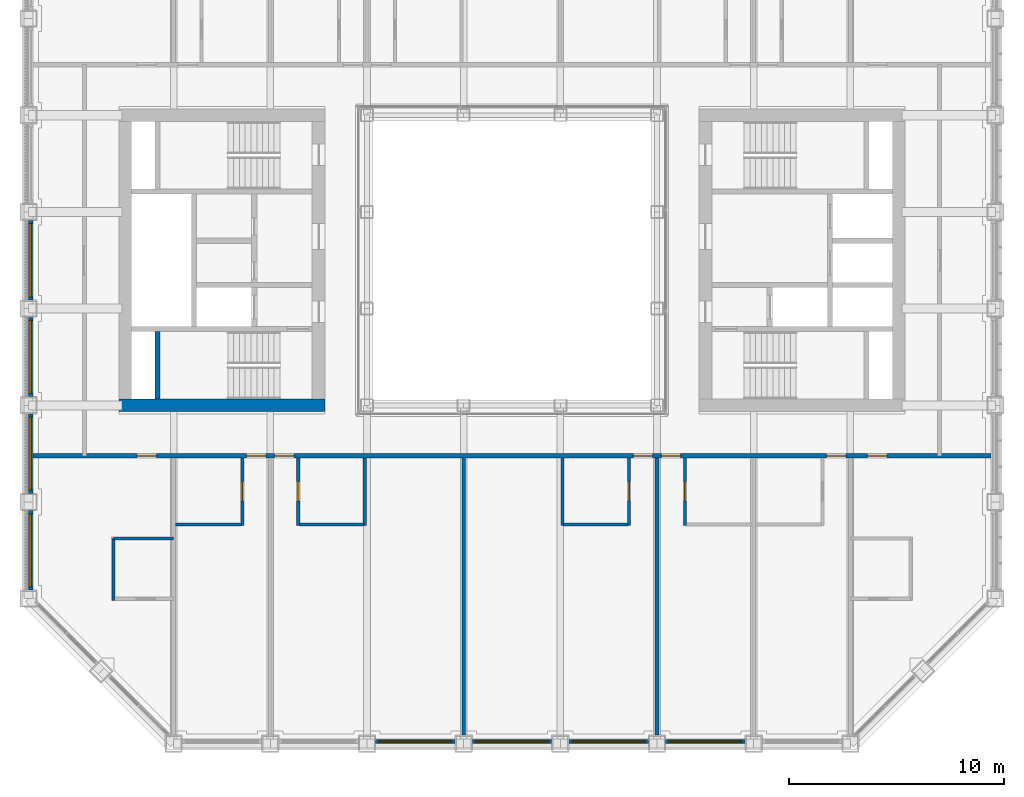
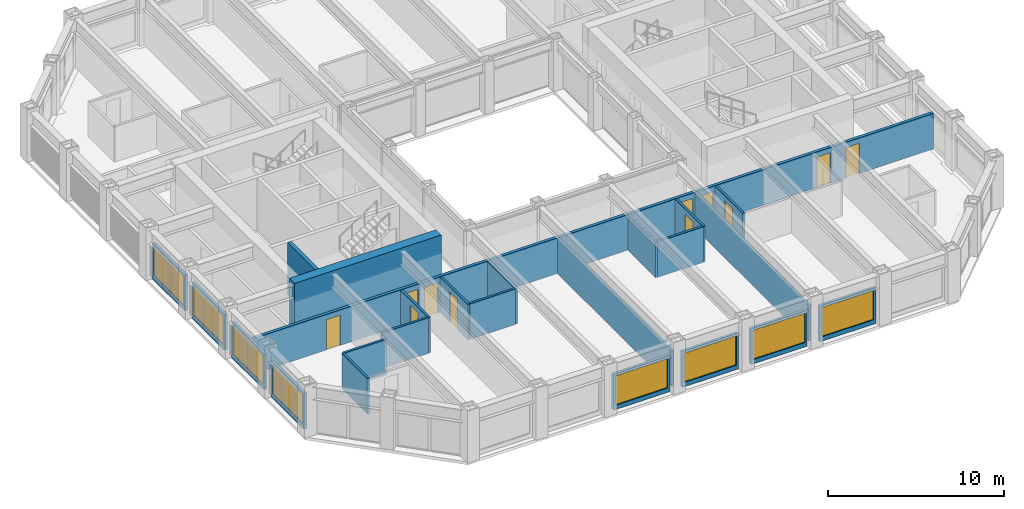
# One storey, part 10 of 17: 24 walls, 11 doors, 8 windows, 19 openings.
"""IFC4 building model written with IfcOpenShell, lengths in metres."""

from ifc_helpers import new_model, si_unit, direction, frame, frame_2d, origin, place, context, subcontext, project, spatial, rectangle, extrude, material, layer, layer_set, type_object, element, fill, save


model = new_model("IFC4")

# Units and contexts
model_context = context("Model", 3, precision=1e-05, world=origin(), true_north=direction((0.0, 1.0)))
body_context = subcontext(model_context, "Body", "Model", "MODEL_VIEW")
ifc_project = project(units=[si_unit("LENGTHUNIT", "METRE"), si_unit("AREAUNIT", "SQUARE_METRE"), si_unit("VOLUMEUNIT", "CUBIC_METRE"), si_unit("PLANEANGLEUNIT", "RADIAN"), si_unit("MASSUNIT", "GRAM", prefix="KILO")], contexts=[model_context])

# Site, building, storey
site_placement = place(None, origin())
site = spatial("IfcSite", under=ifc_project, at=site_placement, CompositionType="ELEMENT")
building_placement = place(site_placement, origin())
building = spatial("IfcBuilding", under=site, at=building_placement, Name="Msasa Ring Tower", CompositionType="ELEMENT")
storey_placement = place(building_placement, frame((0.0, 0.0, 136.39990234375)))
storey = spatial("IfcBuildingStorey", under=building, at=storey_placement, Name="L35", CompositionType="ELEMENT", Elevation=136.39990234375)

# Walls
ifc_material_1 = material(Name="Concrete C60/75", Category="concrete")
ifc_layer_1 = layer(ifc_material_1, 0.60009765625)
ifc_layer_set_1 = layer_set([ifc_layer_1], Name="CW2 CORE WALL 600")
wall_type_1 = type_object("IfcWallType", Name="CW2 CORE WALL 600", PredefinedType="SHEAR", material=ifc_layer_set_1)
wall_1_placement = place(storey_placement, frame((-8.699951171875, -6.75, 0.0), z_axis=(0.0, 0.0, 1.0), x_axis=(-1.0, 0.0, 0.0)))
element("IfcWall", 1, at=wall_1_placement, inside=storey, type_object=wall_type_1, Name="W core wall S L35", PredefinedType="SHEAR", context=body_context, shape_type="SweptSolid", body=[
    extrude(rectangle(XDim=9.60009765625, YDim=0.60009765625, at=frame_2d((4.800048828125, 0.0))), origin(), (0.0, 0.0, 1.0), 3.60009765625),
])
ifc_material_2 = material(Name="Concrete C60/75", Category="concrete")
ifc_layer_2 = layer(ifc_material_2, 0.25)
ifc_layer_set_2 = layer_set([ifc_layer_2], Name="CW4 CORE INNER WALL 250")
wall_type_2 = type_object("IfcWallType", Name="CW4 CORE INNER WALL 250", PredefinedType="SHEAR", material=ifc_layer_set_2)
wall_2_placement = place(storey_placement, frame((-16.5, -6.449951171875, 0.0), z_axis=(0.0, 0.0, 1.0), x_axis=(0.0, 1.0, 0.0)))
element("IfcWall", 2, at=wall_2_placement, inside=storey, type_object=wall_type_2, Name="W core wall RISERA L35", PredefinedType="SHEAR", context=body_context, shape_type="SweptSolid", body=[
    extrude(rectangle(XDim=3.125, YDim=0.25, at=frame_2d((1.5625, 0.0))), origin(), (0.0, 0.0, 1.0), 3.60009765625),
])

# Wall, opening, window
ifc_material_3 = material(Name="Terracotta rainscreen on blockwork", Category="masonry")
ifc_layer_3 = layer(ifc_material_3, 0.199951171875)
ifc_layer_set_3 = layer_set([ifc_layer_3], Name="FW1 TERRACOTTA-LINED INFILL BAY WALL 200")
wall_type_3 = type_object("IfcWallType", Name="FW1 TERRACOTTA-LINED INFILL BAY WALL 200", PredefinedType="SOLIDWALL", material=ifc_layer_set_3)
wall_3_placement = place(storey_placement, frame((-6.344970703125, -22.39990234375, 0.0), z_axis=(0.0, 0.0, 1.0), x_axis=(1.0, 0.0, 0.0)))
wall_3 = element("IfcWall", 3, at=wall_3_placement, inside=storey, type_object=wall_type_3, Name="Infill bay wall S L35 02", PredefinedType="SOLIDWALL", context=body_context, shape_type="SweptSolid", body=[
    extrude(rectangle(XDim=3.68994140625, YDim=0.199951171875, at=frame_2d((1.844970703125, 0.0))), origin(), (0.0, 0.0, 1.0), 2.47900390625),
])
opening_1_placement = place(wall_3_placement, frame((0.14501953125, 0.0, 0.300048828125)))
opening_1 = element("IfcOpeningElement", 4, at=opening_1_placement, cuts=wall_3, Name="Opening WN2", PredefinedType="OPENING", context=body_context, shape_type="SweptSolid", body=[
    extrude(rectangle(XDim=3.39990234375, YDim=2.029052734375, at=frame_2d((1.699951171875, 1.0146484375))), frame((0.0, 0.10986328125, 0.0), z_axis=(0.0, -1.0, 0.0), x_axis=(1.0, 0.0, 0.0)), (0.0, 0.0, 1.0), 0.219970703125),
])
ifc_material_4 = material(Name="Aluminium frame with clear glass", Category="aluminium")
window_type = type_object("IfcWindowType", Name="WN2 GUEST ROOM WINDOW 3400x2029", PartitioningType="SINGLE_PANEL", PredefinedType="WINDOW", material=ifc_material_4)
window_1_placement = place(opening_1_placement, origin())
window_1 = element("IfcWindow", 5, at=window_1_placement, inside=storey, type_object=window_type, Name="Window S L35 02", OverallHeight=2.029052734375, OverallWidth=3.39990234375, PartitioningType="SINGLE_PANEL", PredefinedType="WINDOW", context=body_context, shape_type="SweptSolid", body=[
    extrude(rectangle(XDim=3.39990234375, YDim=2.029052734375, at=frame_2d((1.699951171875, 1.0146484375))), frame((0.0, 0.030029296875, 0.0), z_axis=(0.0, -1.0, 0.0), x_axis=(1.0, 0.0, 0.0)), (0.0, 0.0, 1.0), 0.06005859375),
])
fill(opening_1, window_1)

wall_4_placement = place(storey_placement, frame((-1.844970703125, -22.39990234375, 0.0), z_axis=(0.0, 0.0, 1.0), x_axis=(1.0, 0.0, 0.0)))
wall_4 = element("IfcWall", 6, at=wall_4_placement, inside=storey, type_object=wall_type_3, Name="Infill bay wall S L35 03", PredefinedType="SOLIDWALL", context=body_context, shape_type="SweptSolid", body=[
    extrude(rectangle(XDim=3.68994140625, YDim=0.199951171875, at=frame_2d((1.844970703125, 0.0))), origin(), (0.0, 0.0, 1.0), 2.47900390625),
])
opening_2_placement = place(wall_4_placement, frame((0.14501953125, 0.0, 0.300048828125)))
opening_2 = element("IfcOpeningElement", 7, at=opening_2_placement, cuts=wall_4, Name="Opening WN2", PredefinedType="OPENING", context=body_context, shape_type="SweptSolid", body=[
    extrude(rectangle(XDim=3.39990234375, YDim=2.029052734375, at=frame_2d((1.699951171875, 1.0146484375))), frame((0.0, 0.10986328125, 0.0), z_axis=(0.0, -1.0, 0.0), x_axis=(1.0, 0.0, 0.0)), (0.0, 0.0, 1.0), 0.219970703125),
])
window_2_placement = place(opening_2_placement, origin())
window_2 = element("IfcWindow", 8, at=window_2_placement, inside=storey, type_object=window_type, Name="Window S L35 03", OverallHeight=2.029052734375, OverallWidth=3.39990234375, PartitioningType="SINGLE_PANEL", PredefinedType="WINDOW", context=body_context, shape_type="SweptSolid", body=[
    extrude(rectangle(XDim=3.39990234375, YDim=2.029052734375, at=frame_2d((1.699951171875, 1.0146484375))), frame((0.0, 0.030029296875, 0.0), z_axis=(0.0, -1.0, 0.0), x_axis=(1.0, 0.0, 0.0)), (0.0, 0.0, 1.0), 0.06005859375),
])
fill(opening_2, window_2)

wall_5_placement = place(storey_placement, frame((2.655029296875, -22.39990234375, 0.0), z_axis=(0.0, 0.0, 1.0), x_axis=(1.0, 0.0, 0.0)))
wall_5 = element("IfcWall", 9, at=wall_5_placement, inside=storey, type_object=wall_type_3, Name="Infill bay wall S L35 04", PredefinedType="SOLIDWALL", context=body_context, shape_type="SweptSolid", body=[
    extrude(rectangle(XDim=3.68994140625, YDim=0.199951171875, at=frame_2d((1.844970703125, 0.0))), origin(), (0.0, 0.0, 1.0), 2.47900390625),
])
opening_3_placement = place(wall_5_placement, frame((0.14501953125, 0.0, 0.300048828125)))
opening_3 = element("IfcOpeningElement", 10, at=opening_3_placement, cuts=wall_5, Name="Opening WN2", PredefinedType="OPENING", context=body_context, shape_type="SweptSolid", body=[
    extrude(rectangle(XDim=3.39990234375, YDim=2.029052734375, at=frame_2d((1.699951171875, 1.0146484375))), frame((0.0, 0.10986328125, 0.0), z_axis=(0.0, -1.0, 0.0), x_axis=(1.0, 0.0, 0.0)), (0.0, 0.0, 1.0), 0.219970703125),
])
window_3_placement = place(opening_3_placement, origin())
window_3 = element("IfcWindow", 11, at=window_3_placement, inside=storey, type_object=window_type, Name="Window S L35 04", OverallHeight=2.029052734375, OverallWidth=3.39990234375, PartitioningType="SINGLE_PANEL", PredefinedType="WINDOW", context=body_context, shape_type="SweptSolid", body=[
    extrude(rectangle(XDim=3.39990234375, YDim=2.029052734375, at=frame_2d((1.699951171875, 1.0146484375))), frame((0.0, 0.030029296875, 0.0), z_axis=(0.0, -1.0, 0.0), x_axis=(1.0, 0.0, 0.0)), (0.0, 0.0, 1.0), 0.06005859375),
])
fill(opening_3, window_3)

wall_6_placement = place(storey_placement, frame((7.155029296875, -22.39990234375, 0.0), z_axis=(0.0, 0.0, 1.0), x_axis=(1.0, 0.0, 0.0)))
wall_6 = element("IfcWall", 12, at=wall_6_placement, inside=storey, type_object=wall_type_3, Name="Infill bay wall S L35 05", PredefinedType="SOLIDWALL", context=body_context, shape_type="SweptSolid", body=[
    extrude(rectangle(XDim=3.68994140625, YDim=0.199951171875, at=frame_2d((1.844970703125, 0.0))), origin(), (0.0, 0.0, 1.0), 2.47900390625),
])
opening_4_placement = place(wall_6_placement, frame((0.14501953125, 0.0, 0.300048828125)))
opening_4 = element("IfcOpeningElement", 13, at=opening_4_placement, cuts=wall_6, Name="Opening WN2", PredefinedType="OPENING", context=body_context, shape_type="SweptSolid", body=[
    extrude(rectangle(XDim=3.39990234375, YDim=2.029052734375, at=frame_2d((1.699951171875, 1.0146484375))), frame((0.0, 0.10986328125, 0.0), z_axis=(0.0, -1.0, 0.0), x_axis=(1.0, 0.0, 0.0)), (0.0, 0.0, 1.0), 0.219970703125),
])
window_4_placement = place(opening_4_placement, origin())
window_4 = element("IfcWindow", 14, at=window_4_placement, inside=storey, type_object=window_type, Name="Window S L35 05", OverallHeight=2.029052734375, OverallWidth=3.39990234375, PartitioningType="SINGLE_PANEL", PredefinedType="WINDOW", context=body_context, shape_type="SweptSolid", body=[
    extrude(rectangle(XDim=3.39990234375, YDim=2.029052734375, at=frame_2d((1.699951171875, 1.0146484375))), frame((0.0, 0.030029296875, 0.0), z_axis=(0.0, -1.0, 0.0), x_axis=(1.0, 0.0, 0.0)), (0.0, 0.0, 1.0), 0.06005859375),
])
fill(opening_4, window_4)

wall_7_placement = place(storey_placement, frame((-22.39990234375, -15.344970703125, 0.0), z_axis=(0.0, 0.0, 1.0), x_axis=(0.0, 1.0, 0.0)))
wall_7 = element("IfcWall", 15, at=wall_7_placement, inside=storey, type_object=wall_type_3, Name="Infill bay wall W L35 27", PredefinedType="SOLIDWALL", context=body_context, shape_type="SweptSolid", body=[
    extrude(rectangle(XDim=3.68994140625, YDim=0.199951171875, at=frame_2d((1.844970703125, 0.0))), origin(), (0.0, 0.0, 1.0), 2.47900390625),
])
opening_5_placement = place(wall_7_placement, frame((0.14501953125, 0.0, 0.300048828125)))
opening_5 = element("IfcOpeningElement", 16, at=opening_5_placement, cuts=wall_7, Name="Opening WN2", PredefinedType="OPENING", context=body_context, shape_type="SweptSolid", body=[
    extrude(rectangle(XDim=3.39990234375, YDim=2.029052734375, at=frame_2d((1.699951171875, 1.0146484375))), frame((0.0, 0.10986328125, 0.0), z_axis=(0.0, -1.0, 0.0), x_axis=(1.0, 0.0, 0.0)), (0.0, 0.0, 1.0), 0.219970703125),
])
window_5_placement = place(opening_5_placement, origin())
window_5 = element("IfcWindow", 17, at=window_5_placement, inside=storey, type_object=window_type, Name="Window W L35 27", OverallHeight=2.029052734375, OverallWidth=3.39990234375, PartitioningType="SINGLE_PANEL", PredefinedType="WINDOW", context=body_context, shape_type="SweptSolid", body=[
    extrude(rectangle(XDim=3.39990234375, YDim=2.029052734375, at=frame_2d((1.699951171875, 1.0146484375))), frame((0.0, 0.030029296875, 0.0), z_axis=(0.0, -1.0, 0.0), x_axis=(1.0, 0.0, 0.0)), (0.0, 0.0, 1.0), 0.06005859375),
])
fill(opening_5, window_5)

wall_8_placement = place(storey_placement, frame((-22.39990234375, -10.844970703125, 0.0), z_axis=(0.0, 0.0, 1.0), x_axis=(0.0, 1.0, 0.0)))
wall_8 = element("IfcWall", 18, at=wall_8_placement, inside=storey, type_object=wall_type_3, Name="Infill bay wall W L35 28", PredefinedType="SOLIDWALL", context=body_context, shape_type="SweptSolid", body=[
    extrude(rectangle(XDim=3.68994140625, YDim=0.199951171875, at=frame_2d((1.844970703125, 0.0))), origin(), (0.0, 0.0, 1.0), 2.47900390625),
])
opening_6_placement = place(wall_8_placement, frame((0.14501953125, 0.0, 0.300048828125)))
opening_6 = element("IfcOpeningElement", 19, at=opening_6_placement, cuts=wall_8, Name="Opening WN2", PredefinedType="OPENING", context=body_context, shape_type="SweptSolid", body=[
    extrude(rectangle(XDim=3.39990234375, YDim=2.029052734375, at=frame_2d((1.699951171875, 1.0146484375))), frame((0.0, 0.10986328125, 0.0), z_axis=(0.0, -1.0, 0.0), x_axis=(1.0, 0.0, 0.0)), (0.0, 0.0, 1.0), 0.219970703125),
])
window_6_placement = place(opening_6_placement, origin())
window_6 = element("IfcWindow", 20, at=window_6_placement, inside=storey, type_object=window_type, Name="Window W L35 28", OverallHeight=2.029052734375, OverallWidth=3.39990234375, PartitioningType="SINGLE_PANEL", PredefinedType="WINDOW", context=body_context, shape_type="SweptSolid", body=[
    extrude(rectangle(XDim=3.39990234375, YDim=2.029052734375, at=frame_2d((1.699951171875, 1.0146484375))), frame((0.0, 0.030029296875, 0.0), z_axis=(0.0, -1.0, 0.0), x_axis=(1.0, 0.0, 0.0)), (0.0, 0.0, 1.0), 0.06005859375),
])
fill(opening_6, window_6)

wall_9_placement = place(storey_placement, frame((-22.39990234375, -6.344970703125, 0.0), z_axis=(0.0, 0.0, 1.0), x_axis=(0.0, 1.0, 0.0)))
wall_9 = element("IfcWall", 21, at=wall_9_placement, inside=storey, type_object=wall_type_3, Name="Infill bay wall W L35 29", PredefinedType="SOLIDWALL", context=body_context, shape_type="SweptSolid", body=[
    extrude(rectangle(XDim=3.68994140625, YDim=0.199951171875, at=frame_2d((1.844970703125, 0.0))), origin(), (0.0, 0.0, 1.0), 2.47900390625),
])
opening_7_placement = place(wall_9_placement, frame((0.14501953125, 0.0, 0.300048828125)))
opening_7 = element("IfcOpeningElement", 22, at=opening_7_placement, cuts=wall_9, Name="Opening WN2", PredefinedType="OPENING", context=body_context, shape_type="SweptSolid", body=[
    extrude(rectangle(XDim=3.39990234375, YDim=2.029052734375, at=frame_2d((1.699951171875, 1.0146484375))), frame((0.0, 0.10986328125, 0.0), z_axis=(0.0, -1.0, 0.0), x_axis=(1.0, 0.0, 0.0)), (0.0, 0.0, 1.0), 0.219970703125),
])
window_7_placement = place(opening_7_placement, origin())
window_7 = element("IfcWindow", 23, at=window_7_placement, inside=storey, type_object=window_type, Name="Window W L35 29", OverallHeight=2.029052734375, OverallWidth=3.39990234375, PartitioningType="SINGLE_PANEL", PredefinedType="WINDOW", context=body_context, shape_type="SweptSolid", body=[
    extrude(rectangle(XDim=3.39990234375, YDim=2.029052734375, at=frame_2d((1.699951171875, 1.0146484375))), frame((0.0, 0.030029296875, 0.0), z_axis=(0.0, -1.0, 0.0), x_axis=(1.0, 0.0, 0.0)), (0.0, 0.0, 1.0), 0.06005859375),
])
fill(opening_7, window_7)

wall_10_placement = place(storey_placement, frame((-22.39990234375, -1.844970703125, 0.0), z_axis=(0.0, 0.0, 1.0), x_axis=(0.0, 1.0, 0.0)))
wall_10 = element("IfcWall", 24, at=wall_10_placement, inside=storey, type_object=wall_type_3, Name="Infill bay wall W L35 30", PredefinedType="SOLIDWALL", context=body_context, shape_type="SweptSolid", body=[
    extrude(rectangle(XDim=3.68994140625, YDim=0.199951171875, at=frame_2d((1.844970703125, 0.0))), origin(), (0.0, 0.0, 1.0), 2.47900390625),
])
opening_8_placement = place(wall_10_placement, frame((0.14501953125, 0.0, 0.300048828125)))
opening_8 = element("IfcOpeningElement", 25, at=opening_8_placement, cuts=wall_10, Name="Opening WN2", PredefinedType="OPENING", context=body_context, shape_type="SweptSolid", body=[
    extrude(rectangle(XDim=3.39990234375, YDim=2.029052734375, at=frame_2d((1.699951171875, 1.0146484375))), frame((0.0, 0.10986328125, 0.0), z_axis=(0.0, -1.0, 0.0), x_axis=(1.0, 0.0, 0.0)), (0.0, 0.0, 1.0), 0.219970703125),
])
window_8_placement = place(opening_8_placement, origin())
window_8 = element("IfcWindow", 26, at=window_8_placement, inside=storey, type_object=window_type, Name="Window W L35 30", OverallHeight=2.029052734375, OverallWidth=3.39990234375, PartitioningType="SINGLE_PANEL", PredefinedType="WINDOW", context=body_context, shape_type="SweptSolid", body=[
    extrude(rectangle(XDim=3.39990234375, YDim=2.029052734375, at=frame_2d((1.699951171875, 1.0146484375))), frame((0.0, 0.030029296875, 0.0), z_axis=(0.0, -1.0, 0.0), x_axis=(1.0, 0.0, 0.0)), (0.0, 0.0, 1.0), 0.06005859375),
])
fill(opening_8, window_8)

# Wall, openings, doors
ifc_material_5 = material(Name="Concrete blockwork", Category="masonry")
ifc_layer_4 = layer(ifc_material_5, 0.199951171875)
ifc_layer_set_4 = layer_set([ifc_layer_4], Name="PT1 CORRIDOR WALL 200")
wall_type_4 = type_object("IfcWallType", Name="PT1 CORRIDOR WALL 200", PredefinedType="PARTITIONING", material=ifc_layer_set_4)
wall_11_placement = place(storey_placement, frame((-22.300048828125, -9.10009765625, 0.0), z_axis=(0.0, 0.0, 1.0), x_axis=(1.0, 0.0, 0.0)))
wall_11 = element("IfcWall", 27, at=wall_11_placement, inside=storey, type_object=wall_type_4, Name="Corridor wall L35-CORRS0", PredefinedType="PARTITIONING", context=body_context, shape_type="SweptSolid", body=[
    extrude(rectangle(XDim=44.60009765625, YDim=0.199951171875, at=frame_2d((22.300048828125, 0.0))), origin(), (0.0, 0.0, 1.0), 2.473388671875),
])
opening_9_placement = place(wall_11_placement, frame((9.949951171875, 0.0, 0.0)))
opening_9 = element("IfcOpeningElement", 28, at=opening_9_placement, cuts=wall_11, Name="Opening HB-028", PredefinedType="OPENING", context=body_context, shape_type="SweptSolid", body=[
    extrude(rectangle(XDim=0.89990234375, YDim=2.10009765625, at=frame_2d((0.449951171875, 1.050048828125))), frame((0.0, 0.10986328125, 0.0), z_axis=(0.0, -1.0, 0.0), x_axis=(1.0, 0.0, 0.0)), (0.0, 0.0, 1.0), 0.219970703125),
])
opening_10_placement = place(wall_11_placement, frame((11.25, 0.0, 0.0)))
opening_10 = element("IfcOpeningElement", 29, at=opening_10_placement, cuts=wall_11, Name="Opening HB-029", PredefinedType="OPENING", context=body_context, shape_type="SweptSolid", body=[
    extrude(rectangle(XDim=0.89990234375, YDim=2.10009765625, at=frame_2d((0.449951171875, 1.050048828125))), frame((0.0, 0.10986328125, 0.0), z_axis=(0.0, -1.0, 0.0), x_axis=(1.0, 0.0, 0.0)), (0.0, 0.0, 1.0), 0.219970703125),
])
opening_11_placement = place(wall_11_placement, frame((27.949951171875, 0.0, 0.0)))
opening_11 = element("IfcOpeningElement", 30, at=opening_11_placement, cuts=wall_11, Name="Opening HB-030", PredefinedType="OPENING", context=body_context, shape_type="SweptSolid", body=[
    extrude(rectangle(XDim=0.89990234375, YDim=2.10009765625, at=frame_2d((0.449951171875, 1.050048828125))), frame((0.0, 0.10986328125, 0.0), z_axis=(0.0, -1.0, 0.0), x_axis=(1.0, 0.0, 0.0)), (0.0, 0.0, 1.0), 0.219970703125),
])
opening_12_placement = place(wall_11_placement, frame((29.25, 0.0, 0.0)))
opening_12 = element("IfcOpeningElement", 31, at=opening_12_placement, cuts=wall_11, Name="Opening HB-031", PredefinedType="OPENING", context=body_context, shape_type="SweptSolid", body=[
    extrude(rectangle(XDim=0.89990234375, YDim=2.10009765625, at=frame_2d((0.449951171875, 1.050048828125))), frame((0.0, 0.10986328125, 0.0), z_axis=(0.0, -1.0, 0.0), x_axis=(1.0, 0.0, 0.0)), (0.0, 0.0, 1.0), 0.219970703125),
])
opening_13_placement = place(wall_11_placement, frame((36.949951171875, 0.0, 0.0)))
opening_13 = element("IfcOpeningElement", 32, at=opening_13_placement, cuts=wall_11, Name="Opening HB-032", PredefinedType="OPENING", context=body_context, shape_type="SweptSolid", body=[
    extrude(rectangle(XDim=0.89990234375, YDim=2.10009765625, at=frame_2d((0.449951171875, 1.050048828125))), frame((0.0, 0.10986328125, 0.0), z_axis=(0.0, -1.0, 0.0), x_axis=(1.0, 0.0, 0.0)), (0.0, 0.0, 1.0), 0.219970703125),
])
opening_14_placement = place(wall_11_placement, frame((38.85009765625, 0.0, 0.0)))
opening_14 = element("IfcOpeningElement", 33, at=opening_14_placement, cuts=wall_11, Name="Opening HB-033", PredefinedType="OPENING", context=body_context, shape_type="SweptSolid", body=[
    extrude(rectangle(XDim=0.89990234375, YDim=2.10009765625, at=frame_2d((0.449951171875, 1.050048828125))), frame((0.0, 0.10986328125, 0.0), z_axis=(0.0, -1.0, 0.0), x_axis=(1.0, 0.0, 0.0)), (0.0, 0.0, 1.0), 0.219970703125),
])
opening_15_placement = place(wall_11_placement, frame((4.85009765625, 0.0, 0.0)))
opening_15 = element("IfcOpeningElement", 34, at=opening_15_placement, cuts=wall_11, Name="Opening HB-027", PredefinedType="OPENING", context=body_context, shape_type="SweptSolid", body=[
    extrude(rectangle(XDim=0.89990234375, YDim=2.10009765625, at=frame_2d((0.449951171875, 1.050048828125))), frame((0.0, 0.10986328125, 0.0), z_axis=(0.0, -1.0, 0.0), x_axis=(1.0, 0.0, 0.0)), (0.0, 0.0, 1.0), 0.219970703125),
])
ifc_material_6 = material(Name="Timber door leaf in a steel frame", Category="steel")
door_type_1 = type_object("IfcDoorType", Name="D1 SINGLE DOOR TO CORRIDOR 900x2100", OperationType="SINGLE_SWING_LEFT", PredefinedType="DOOR", material=ifc_material_6)
door_1_placement = place(opening_9_placement, origin())
door_1 = element("IfcDoor", 35, at=door_1_placement, inside=storey, type_object=door_type_1, Name="Door L35-GS00", OperationType="SINGLE_SWING_LEFT", OverallHeight=2.10009765625, OverallWidth=0.89990234375, PredefinedType="DOOR", context=body_context, shape_type="SweptSolid", body=[
    extrude(rectangle(XDim=0.89990234375, YDim=2.10009765625, at=frame_2d((0.449951171875, 1.050048828125))), frame((0.0, 0.02490234375, 0.0), z_axis=(0.0, -1.0, 0.0), x_axis=(1.0, 0.0, 0.0)), (0.0, 0.0, 1.0), 0.050048828125),
])
fill(opening_9, door_1)
door_2_placement = place(opening_10_placement, origin())
door_2 = element("IfcDoor", 36, at=door_2_placement, inside=storey, type_object=door_type_1, Name="Door L35-GS01", OperationType="SINGLE_SWING_LEFT", OverallHeight=2.10009765625, OverallWidth=0.89990234375, PredefinedType="DOOR", context=body_context, shape_type="SweptSolid", body=[
    extrude(rectangle(XDim=0.89990234375, YDim=2.10009765625, at=frame_2d((0.449951171875, 1.050048828125))), frame((0.0, 0.02490234375, 0.0), z_axis=(0.0, -1.0, 0.0), x_axis=(1.0, 0.0, 0.0)), (0.0, 0.0, 1.0), 0.050048828125),
])
fill(opening_10, door_2)
door_3_placement = place(opening_11_placement, origin())
door_3 = element("IfcDoor", 37, at=door_3_placement, inside=storey, type_object=door_type_1, Name="Door L35-GS02", OperationType="SINGLE_SWING_RIGHT", OverallHeight=2.10009765625, OverallWidth=0.89990234375, PredefinedType="DOOR", context=body_context, shape_type="SweptSolid", body=[
    extrude(rectangle(XDim=0.89990234375, YDim=2.10009765625, at=frame_2d((0.449951171875, 1.050048828125))), frame((0.0, 0.02490234375, 0.0), z_axis=(0.0, -1.0, 0.0), x_axis=(1.0, 0.0, 0.0)), (0.0, 0.0, 1.0), 0.050048828125),
])
fill(opening_11, door_3)
door_4_placement = place(opening_12_placement, origin())
door_4 = element("IfcDoor", 38, at=door_4_placement, inside=storey, type_object=door_type_1, Name="Door L35-GS03", OperationType="SINGLE_SWING_RIGHT", OverallHeight=2.10009765625, OverallWidth=0.89990234375, PredefinedType="DOOR", context=body_context, shape_type="SweptSolid", body=[
    extrude(rectangle(XDim=0.89990234375, YDim=2.10009765625, at=frame_2d((0.449951171875, 1.050048828125))), frame((0.0, 0.02490234375, 0.0), z_axis=(0.0, -1.0, 0.0), x_axis=(1.0, 0.0, 0.0)), (0.0, 0.0, 1.0), 0.050048828125),
])
fill(opening_12, door_4)
door_5_placement = place(opening_13_placement, origin())
door_5 = element("IfcDoor", 39, at=door_5_placement, inside=storey, type_object=door_type_1, Name="Door L35-GS04", OperationType="SINGLE_SWING_RIGHT", OverallHeight=2.10009765625, OverallWidth=0.89990234375, PredefinedType="DOOR", context=body_context, shape_type="SweptSolid", body=[
    extrude(rectangle(XDim=0.89990234375, YDim=2.10009765625, at=frame_2d((0.449951171875, 1.050048828125))), frame((0.0, 0.02490234375, 0.0), z_axis=(0.0, -1.0, 0.0), x_axis=(1.0, 0.0, 0.0)), (0.0, 0.0, 1.0), 0.050048828125),
])
fill(opening_13, door_5)
ifc_material_7 = material(Name="Timber door leaf in a steel frame", Category="steel")
door_type_2 = type_object("IfcDoorType", Name="D2 ENTRANCE DOOR 900x2100", OperationType="SINGLE_SWING_LEFT", PredefinedType="DOOR", material=ifc_material_7)
door_6_placement = place(opening_14_placement, origin())
door_6 = element("IfcDoor", 40, at=door_6_placement, inside=storey, type_object=door_type_2, Name="Door L35-CSSE", OperationType="SINGLE_SWING_RIGHT", OverallHeight=2.10009765625, OverallWidth=0.89990234375, PredefinedType="DOOR", context=body_context, shape_type="SweptSolid", body=[
    extrude(rectangle(XDim=0.89990234375, YDim=2.10009765625, at=frame_2d((0.449951171875, 1.050048828125))), frame((0.0, 0.02490234375, 0.0), z_axis=(0.0, -1.0, 0.0), x_axis=(1.0, 0.0, 0.0)), (0.0, 0.0, 1.0), 0.050048828125),
])
fill(opening_14, door_6)
door_7_placement = place(opening_15_placement, origin())
door_7 = element("IfcDoor", 41, at=door_7_placement, inside=storey, type_object=door_type_2, Name="Door L35-CSSW", OperationType="SINGLE_SWING_LEFT", OverallHeight=2.10009765625, OverallWidth=0.89990234375, PredefinedType="DOOR", context=body_context, shape_type="SweptSolid", body=[
    extrude(rectangle(XDim=0.89990234375, YDim=2.10009765625, at=frame_2d((0.449951171875, 1.050048828125))), frame((0.0, 0.02490234375, 0.0), z_axis=(0.0, -1.0, 0.0), x_axis=(1.0, 0.0, 0.0)), (0.0, 0.0, 1.0), 0.050048828125),
])
fill(opening_15, door_7)

# Wall, opening, door
ifc_material_8 = material(Name="Moisture-resistant board on steel studs with a concealed cistern and pipe void, tiled", Category="steel")
ifc_layer_5 = layer(ifc_material_8, 0.14990234375)
ifc_layer_set_5 = layer_set([ifc_layer_5], Name="PT4 BATHROOM WET WALL 150")
wall_type_5 = type_object("IfcWallType", Name="PT4 BATHROOM WET WALL 150", PredefinedType="PARTITIONING", material=ifc_layer_set_5)
wall_12_placement = place(storey_placement, frame((-12.550048828125, -12.35009765625, 0.0), z_axis=(0.0, 0.0, 1.0), x_axis=(0.0, 1.0, 0.0)))
wall_12 = element("IfcWall", 42, at=wall_12_placement, inside=storey, type_object=wall_type_5, Name="Partition L35-GS00BX", PredefinedType="PARTITIONING", context=body_context, shape_type="SweptSolid", body=[
    extrude(rectangle(XDim=3.150146484375, YDim=0.14990234375, at=frame_2d((1.5751953125, 0.0))), origin(), (0.0, 0.0, 1.0), 2.473388671875),
])
opening_16_placement = place(wall_12_placement, frame((1.14990234375, 0.0, 0.0)))
opening_16 = element("IfcOpeningElement", 43, at=opening_16_placement, cuts=wall_12, Name="Opening HB-034", PredefinedType="OPENING", context=body_context, shape_type="SweptSolid", body=[
    extrude(rectangle(XDim=0.89990234375, YDim=2.10009765625, at=frame_2d((0.449951171875, 1.050048828125))), frame((0.0, 0.0849609375, 0.0), z_axis=(0.0, -1.0, 0.0), x_axis=(1.0, 0.0, 0.0)), (0.0, 0.0, 1.0), 0.169921875),
])
ifc_material_9 = material(Name="Timber door leaf in a steel frame", Category="steel")
door_type_3 = type_object("IfcDoorType", Name="D3 BATHROOM DOOR 900x2100", OperationType="SINGLE_SWING_LEFT", PredefinedType="DOOR", material=ifc_material_9)
door_8_placement = place(opening_16_placement, origin())
door_8 = element("IfcDoor", 44, at=door_8_placement, inside=storey, type_object=door_type_3, Name="Door L35-GS00B", OperationType="SINGLE_SWING_LEFT", OverallHeight=2.10009765625, OverallWidth=0.89990234375, PredefinedType="DOOR", context=body_context, shape_type="SweptSolid", body=[
    extrude(rectangle(XDim=0.89990234375, YDim=2.10009765625, at=frame_2d((0.449951171875, 1.050048828125))), frame((0.0, 0.02490234375, 0.0), z_axis=(0.0, -1.0, 0.0), x_axis=(1.0, 0.0, 0.0)), (0.0, 0.0, 1.0), 0.050048828125),
])
fill(opening_16, door_8)

# Wall
wall_13_placement = place(storey_placement, frame((-15.66259765625, -12.300048828125, 0.0), z_axis=(0.0, 0.0, 1.0), x_axis=(1.0, 0.0, 0.0)))
element("IfcWall", 45, at=wall_13_placement, inside=storey, type_object=wall_type_5, Name="Partition L35-GS00BY", PredefinedType="PARTITIONING", context=body_context, shape_type="SweptSolid", body=[
    extrude(rectangle(XDim=3.0625, YDim=0.14990234375, at=frame_2d((1.53125, 0.0))), origin(), (0.0, 0.0, 1.0), 2.473388671875),
])

# Wall, opening, door
wall_14_placement = place(storey_placement, frame((-9.949951171875, -12.35009765625, 0.0), z_axis=(0.0, 0.0, 1.0), x_axis=(0.0, 1.0, 0.0)))
wall_14 = element("IfcWall", 46, at=wall_14_placement, inside=storey, type_object=wall_type_5, Name="Partition L35-GS01BX", PredefinedType="PARTITIONING", context=body_context, shape_type="SweptSolid", body=[
    extrude(rectangle(XDim=3.150146484375, YDim=0.14990234375, at=frame_2d((1.5751953125, 0.0))), origin(), (0.0, 0.0, 1.0), 2.473388671875),
])
opening_17_placement = place(wall_14_placement, frame((1.14990234375, 0.0, 0.0)))
opening_17 = element("IfcOpeningElement", 47, at=opening_17_placement, cuts=wall_14, Name="Opening HB-035", PredefinedType="OPENING", context=body_context, shape_type="SweptSolid", body=[
    extrude(rectangle(XDim=0.89990234375, YDim=2.10009765625, at=frame_2d((0.449951171875, 1.050048828125))), frame((0.0, 0.0849609375, 0.0), z_axis=(0.0, -1.0, 0.0), x_axis=(1.0, 0.0, 0.0)), (0.0, 0.0, 1.0), 0.169921875),
])
door_9_placement = place(opening_17_placement, origin())
door_9 = element("IfcDoor", 48, at=door_9_placement, inside=storey, type_object=door_type_3, Name="Door L35-GS01B", OperationType="SINGLE_SWING_LEFT", OverallHeight=2.10009765625, OverallWidth=0.89990234375, PredefinedType="DOOR", context=body_context, shape_type="SweptSolid", body=[
    extrude(rectangle(XDim=0.89990234375, YDim=2.10009765625, at=frame_2d((0.449951171875, 1.050048828125))), frame((0.0, 0.02490234375, 0.0), z_axis=(0.0, -1.0, 0.0), x_axis=(1.0, 0.0, 0.0)), (0.0, 0.0, 1.0), 0.050048828125),
])
fill(opening_17, door_9)

# Walls
wall_15_placement = place(storey_placement, frame((-6.85009765625, -12.35009765625, 0.0), z_axis=(0.0, 0.0, 1.0), x_axis=(0.0, 1.0, 0.0)))
element("IfcWall", 49, at=wall_15_placement, inside=storey, type_object=wall_type_5, Name="Partition L35-GS01BF", PredefinedType="PARTITIONING", context=body_context, shape_type="SweptSolid", body=[
    extrude(rectangle(XDim=3.150146484375, YDim=0.14990234375, at=frame_2d((1.5751953125, 0.0))), origin(), (0.0, 0.0, 1.0), 2.473388671875),
])
wall_16_placement = place(storey_placement, frame((-9.89990234375, -12.300048828125, 0.0), z_axis=(0.0, 0.0, 1.0), x_axis=(1.0, 0.0, 0.0)))
element("IfcWall", 50, at=wall_16_placement, inside=storey, type_object=wall_type_5, Name="Partition L35-GS01BY", PredefinedType="PARTITIONING", context=body_context, shape_type="SweptSolid", body=[
    extrude(rectangle(XDim=3.0, YDim=0.14990234375, at=frame_2d((1.5, 0.0))), origin(), (0.0, 0.0, 1.0), 2.473388671875),
])

# Wall, opening, door
wall_17_placement = place(storey_placement, frame((5.449951171875, -12.35009765625, 0.0), z_axis=(0.0, 0.0, 1.0), x_axis=(0.0, 1.0, 0.0)))
wall_17 = element("IfcWall", 51, at=wall_17_placement, inside=storey, type_object=wall_type_5, Name="Partition L35-GS02BX", PredefinedType="PARTITIONING", context=body_context, shape_type="SweptSolid", body=[
    extrude(rectangle(XDim=3.150146484375, YDim=0.14990234375, at=frame_2d((1.5751953125, 0.0))), origin(), (0.0, 0.0, 1.0), 2.473388671875),
])
opening_18_placement = place(wall_17_placement, frame((1.14990234375, 0.0, 0.0)))
opening_18 = element("IfcOpeningElement", 52, at=opening_18_placement, cuts=wall_17, Name="Opening HB-036", PredefinedType="OPENING", context=body_context, shape_type="SweptSolid", body=[
    extrude(rectangle(XDim=0.89990234375, YDim=2.10009765625, at=frame_2d((0.449951171875, 1.050048828125))), frame((0.0, 0.0849609375, 0.0), z_axis=(0.0, -1.0, 0.0), x_axis=(1.0, 0.0, 0.0)), (0.0, 0.0, 1.0), 0.169921875),
])
door_10_placement = place(opening_18_placement, origin())
door_10 = element("IfcDoor", 53, at=door_10_placement, inside=storey, type_object=door_type_3, Name="Door L35-GS02B", OperationType="SINGLE_SWING_LEFT", OverallHeight=2.10009765625, OverallWidth=0.89990234375, PredefinedType="DOOR", context=body_context, shape_type="SweptSolid", body=[
    extrude(rectangle(XDim=0.89990234375, YDim=2.10009765625, at=frame_2d((0.449951171875, 1.050048828125))), frame((0.0, 0.02490234375, 0.0), z_axis=(0.0, -1.0, 0.0), x_axis=(1.0, 0.0, 0.0)), (0.0, 0.0, 1.0), 0.050048828125),
])
fill(opening_18, door_10)

# Walls
wall_18_placement = place(storey_placement, frame((2.35009765625, -12.35009765625, 0.0), z_axis=(0.0, 0.0, 1.0), x_axis=(0.0, 1.0, 0.0)))
element("IfcWall", 54, at=wall_18_placement, inside=storey, type_object=wall_type_5, Name="Partition L35-GS02BF", PredefinedType="PARTITIONING", context=body_context, shape_type="SweptSolid", body=[
    extrude(rectangle(XDim=3.150146484375, YDim=0.14990234375, at=frame_2d((1.5751953125, 0.0))), origin(), (0.0, 0.0, 1.0), 2.473388671875),
])
wall_19_placement = place(storey_placement, frame((2.39990234375, -12.300048828125, 0.0), z_axis=(0.0, 0.0, 1.0), x_axis=(1.0, 0.0, 0.0)))
element("IfcWall", 55, at=wall_19_placement, inside=storey, type_object=wall_type_5, Name="Partition L35-GS02BY", PredefinedType="PARTITIONING", context=body_context, shape_type="SweptSolid", body=[
    extrude(rectangle(XDim=3.0, YDim=0.14990234375, at=frame_2d((1.5, 0.0))), origin(), (0.0, 0.0, 1.0), 2.473388671875),
])

# Wall, opening, door
wall_20_placement = place(storey_placement, frame((8.050048828125, -12.35009765625, 0.0), z_axis=(0.0, 0.0, 1.0), x_axis=(0.0, 1.0, 0.0)))
wall_20 = element("IfcWall", 56, at=wall_20_placement, inside=storey, type_object=wall_type_5, Name="Partition L35-GS03BX", PredefinedType="PARTITIONING", context=body_context, shape_type="SweptSolid", body=[
    extrude(rectangle(XDim=3.150146484375, YDim=0.14990234375, at=frame_2d((1.5751953125, 0.0))), origin(), (0.0, 0.0, 1.0), 2.473388671875),
])
opening_19_placement = place(wall_20_placement, frame((1.14990234375, 0.0, 0.0)))
opening_19 = element("IfcOpeningElement", 57, at=opening_19_placement, cuts=wall_20, Name="Opening HB-037", PredefinedType="OPENING", context=body_context, shape_type="SweptSolid", body=[
    extrude(rectangle(XDim=0.89990234375, YDim=2.10009765625, at=frame_2d((0.449951171875, 1.050048828125))), frame((0.0, 0.0849609375, 0.0), z_axis=(0.0, -1.0, 0.0), x_axis=(1.0, 0.0, 0.0)), (0.0, 0.0, 1.0), 0.169921875),
])
door_11_placement = place(opening_19_placement, origin())
door_11 = element("IfcDoor", 58, at=door_11_placement, inside=storey, type_object=door_type_3, Name="Door L35-GS03B", OperationType="SINGLE_SWING_LEFT", OverallHeight=2.10009765625, OverallWidth=0.89990234375, PredefinedType="DOOR", context=body_context, shape_type="SweptSolid", body=[
    extrude(rectangle(XDim=0.89990234375, YDim=2.10009765625, at=frame_2d((0.449951171875, 1.050048828125))), frame((0.0, 0.02490234375, 0.0), z_axis=(0.0, -1.0, 0.0), x_axis=(1.0, 0.0, 0.0)), (0.0, 0.0, 1.0), 0.050048828125),
])
fill(opening_19, door_11)

# Walls
wall_21_placement = place(storey_placement, frame((-18.550048828125, -15.824951171875, 0.0), z_axis=(0.0, 0.0, 1.0), x_axis=(0.0, 1.0, 0.0)))
element("IfcWall", 59, at=wall_21_placement, inside=storey, type_object=wall_type_5, Name="Partition L35-CSSWBX", PredefinedType="PARTITIONING", context=body_context, shape_type="SweptSolid", body=[
    extrude(rectangle(XDim=2.875, YDim=0.14990234375, at=frame_2d((1.4375, 0.0))), origin(), (0.0, 0.0, 1.0), 2.473388671875),
])
wall_22_placement = place(storey_placement, frame((-18.550048828125, -12.949951171875, 0.0), z_axis=(0.0, 0.0, 1.0), x_axis=(1.0, 0.0, 0.0)))
element("IfcWall", 60, at=wall_22_placement, inside=storey, type_object=wall_type_5, Name="Partition L35-CSSWBY", PredefinedType="PARTITIONING", context=body_context, shape_type="SweptSolid", body=[
    extrude(rectangle(XDim=2.800048828125, YDim=0.14990234375, at=frame_2d((1.39990234375, 0.0))), origin(), (0.0, 0.0, 1.0), 2.473388671875),
])
ifc_material_10 = material(Name="Twin steel studs, two layers of acoustic board each face, mineral wool", Category="steel")
ifc_layer_6 = layer(ifc_material_10, 0.175048828125)
ifc_layer_set_6 = layer_set([ifc_layer_6], Name="PT5 GUEST ROOM SEPARATING WALL 175")
wall_type_6 = type_object("IfcWallType", Name="PT5 GUEST ROOM SEPARATING WALL 175", PredefinedType="PARTITIONING", material=ifc_layer_set_6)
for number, where, z_axis, x_axis, name in (
    (61, (-2.25, -22.10009765625, 0.0), (0.0, 0.0, 1.0), (0.0, 1.0, 0.0), "Partition L35-PWS-2.25"),
    (62, (6.75, -22.10009765625, 0.0), (0.0, 0.0, 1.0), (0.0, 1.0, 0.0), "Partition L35-PWS+6.75"),
):
    element("IfcWall", number, at=place(storey_placement, frame(where, z_axis=z_axis, x_axis=x_axis)), inside=storey, type_object=wall_type_6, Name=name, PredefinedType="PARTITIONING", context=body_context, shape_type="SweptSolid", body=[
        extrude(rectangle(XDim=12.900146484375, YDim=0.175048828125, at=frame_2d((6.4501953125, 0.0))), origin(), (0.0, 0.0, 1.0), 2.473388671875),
    ])

save(model, "model.ifc")
